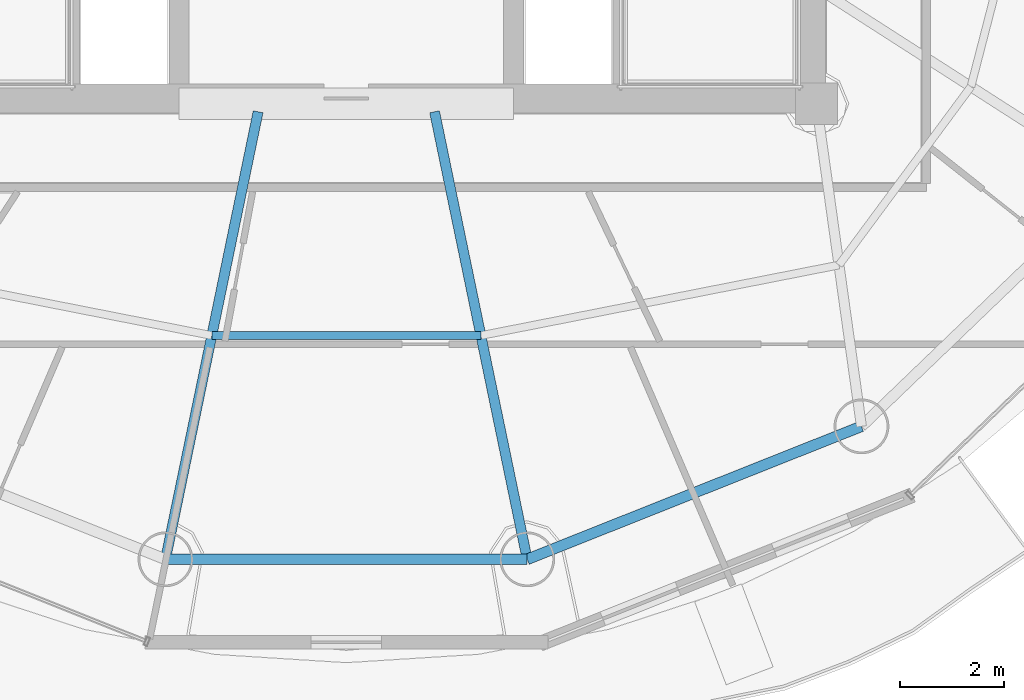
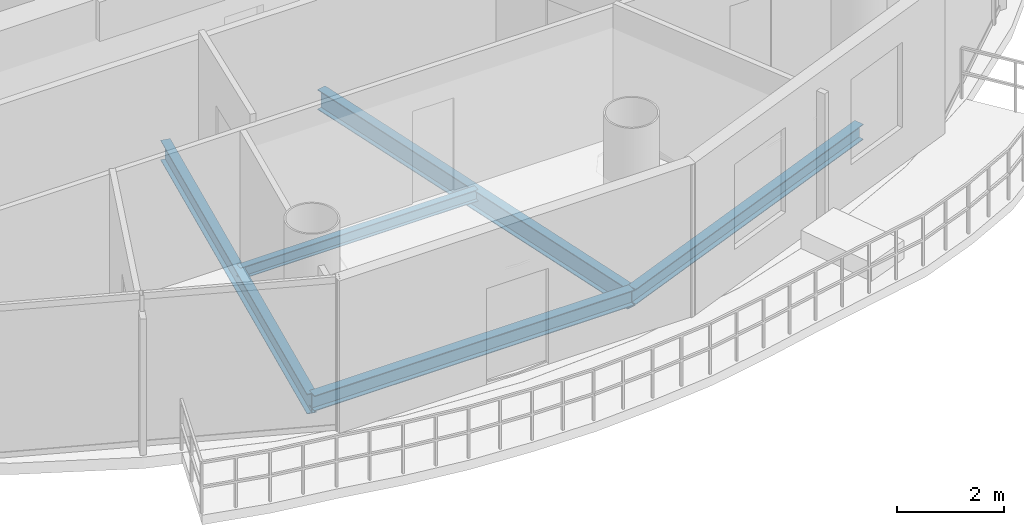
# One storey, part 5 of 24: 5 beams.
"""IFC4 building model written with IfcOpenShell, lengths in metres."""

from ifc_helpers import new_model, si_unit, direction, frame, origin, origin_2d, place, context, subcontext, project, spatial, i_section, extrude, material, material_profile, profile_set, type_object, element, save


model = new_model("IFC4")

# Units and contexts
model_context = context("Model", 3, precision=1e-05, world=origin(), true_north=direction((-0.2419218956, 0.970295726276)))
body_context = subcontext(model_context, "Body", "Model", "MODEL_VIEW")
ifc_project = project(units=[si_unit("LENGTHUNIT", "METRE"), si_unit("AREAUNIT", "SQUARE_METRE"), si_unit("VOLUMEUNIT", "CUBIC_METRE"), si_unit("PLANEANGLEUNIT", "RADIAN"), si_unit("MASSUNIT", "GRAM", prefix="KILO")], contexts=[model_context])

# Site, building, storey
site_placement = place(None, origin())
site = spatial("IfcSite", under=ifc_project, at=site_placement, CompositionType="ELEMENT")
building_placement = place(site_placement, origin())
building = spatial("IfcBuilding", under=site, at=building_placement, Name="Cobrevalo Terracotta Tower", CompositionType="ELEMENT")
storey_placement = place(building_placement, frame((0.0, 0.0, 293.199951171875)))
storey = spatial("IfcBuildingStorey", under=building, at=storey_placement, Name="L77", CompositionType="ELEMENT", Elevation=293.199951171875)

# Beams
ifc_material = material(Name="Steel S355", Category="steel")
ifc_material_profile_1 = material_profile(ifc_material, i_section(OverallWidth=0.19091796875, OverallDepth=0.4599609375, WebThickness=0.010009765625, FlangeThickness=0.01611328125, at=origin_2d()), Name="W 460x82")
ifc_profile_set_1 = profile_set([ifc_material_profile_1], Name="Steel S355")
beam_type_1 = type_object("IfcBeamType", Name="Structural Beam W 460x82 (Steel S355)", PredefinedType="BEAM", material=ifc_profile_set_1)
for number, where, z_axis, x_axis, name in (
    (1, (34.537109375, 10.07763671875, -0.489990234375), (0.202781841237, 0.9792239401, 0.0), (-0.9792239401, 0.202781841237, 0.0), "L77 radial floor girder 12"),
    (2, (41.462890625, 10.07763671875, -0.489990234375), (-0.202781841237, 0.9792239401, 0.0), (-0.9792239401, -0.202781841237, 0.0), "L77 radial floor girder 13"),
):
    element("IfcBeam", number, at=place(storey_placement, frame(where, z_axis=z_axis, x_axis=x_axis)), inside=storey, type_object=beam_type_1, Name=name, PredefinedType="BEAM", context=body_context, shape_type="SweptSolid", body=[
        extrude(i_section(OverallWidth=0.19091796875, OverallDepth=0.4599609375, WebThickness=0.010009765625, FlangeThickness=0.01611328125, at=origin_2d()), origin(), (0.0, 0.0, 1.0), 8.749267578125),
    ])
ifc_material_profile_2 = material_profile(ifc_material, i_section(OverallWidth=0.14794921875, OverallDepth=0.26611328125, WebThickness=0.007568359375, FlangeThickness=0.012939453125, at=origin_2d()), Name="W 250x44.8")
ifc_profile_set_2 = profile_set([ifc_material_profile_2], Name="Steel S355")
beam_type_2 = type_object("IfcBeamType", Name="Structural Joist W 250x44.8 (Steel S355)", PredefinedType="JOIST", material=ifc_profile_set_2)
beam_1_placement = place(storey_placement, frame((35.42431640625, 14.361328125, -0.39306640625), z_axis=(1.0, 0.0, 0.0), x_axis=(0.0, 1.0, 0.0)))
element("IfcBeam", 3, at=beam_1_placement, inside=storey, type_object=beam_type_2, Name="L77 circumferential secondary floor joist 12", PredefinedType="JOIST", context=body_context, shape_type="SweptSolid", body=[
    extrude(i_section(OverallWidth=0.14794921875, OverallDepth=0.26611328125, WebThickness=0.007568359375, FlangeThickness=0.012939453125, at=origin_2d()), origin(), (0.0, 0.0, 1.0), 5.1513671875),
])
ifc_material_profile_3 = material_profile(ifc_material, i_section(OverallWidth=0.205078125, OverallDepth=0.35400390625, WebThickness=0.009521484375, FlangeThickness=0.016845703125, at=origin_2d()), Name="W 360x79")
ifc_profile_set_3 = profile_set([ifc_material_profile_3], Name="Steel S355")
beam_type_3 = type_object("IfcBeamType", Name="Structural Spandrel W 360x79 (Steel S355)", PredefinedType="SPANDREL", material=ifc_profile_set_3)
beam_2_placement = place(storey_placement, frame((34.537109375, 10.07763671875, -0.43701171875), z_axis=(1.0, 0.0, 0.0), x_axis=(0.0, 1.0, 0.0)))
element("IfcBeam", 4, at=beam_2_placement, inside=storey, type_object=beam_type_3, Name="L77 perimeter ring spandrel 12", PredefinedType="SPANDREL", context=body_context, shape_type="SweptSolid", body=[
    extrude(i_section(OverallWidth=0.205078125, OverallDepth=0.35400390625, WebThickness=0.009521484375, FlangeThickness=0.016845703125, at=origin_2d()), origin(), (0.0, 0.0, 1.0), 6.92578125),
])
beam_3_placement = place(storey_placement, frame((41.462890625, 10.07763671875, -0.43701171875), z_axis=(0.929149986048, 0.369702993533, 0.0), x_axis=(-0.369702993533, 0.929149986048, 0.0)))
element("IfcBeam", 5, at=beam_3_placement, inside=storey, type_object=beam_type_3, Name="L77 perimeter ring spandrel 13", PredefinedType="SPANDREL", context=body_context, shape_type="SweptSolid", body=[
    extrude(i_section(OverallWidth=0.205078125, OverallDepth=0.35400390625, WebThickness=0.009521484375, FlangeThickness=0.016845703125, at=origin_2d()), origin(), (0.0, 0.0, 1.0), 6.88623046875),
])

save(model, "model.ifc")
